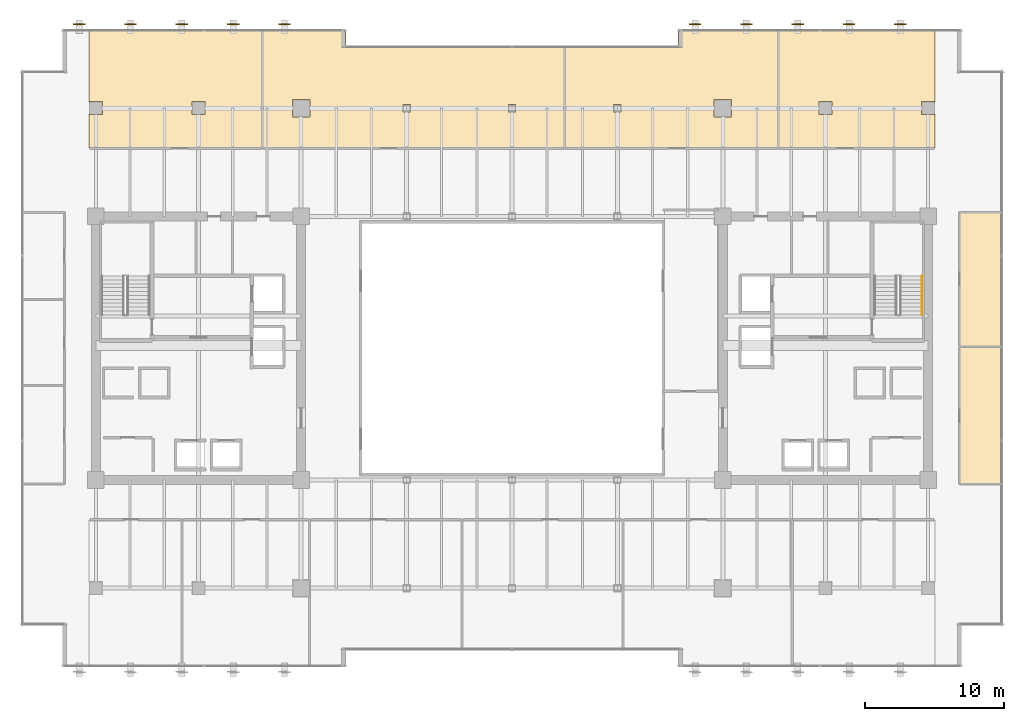
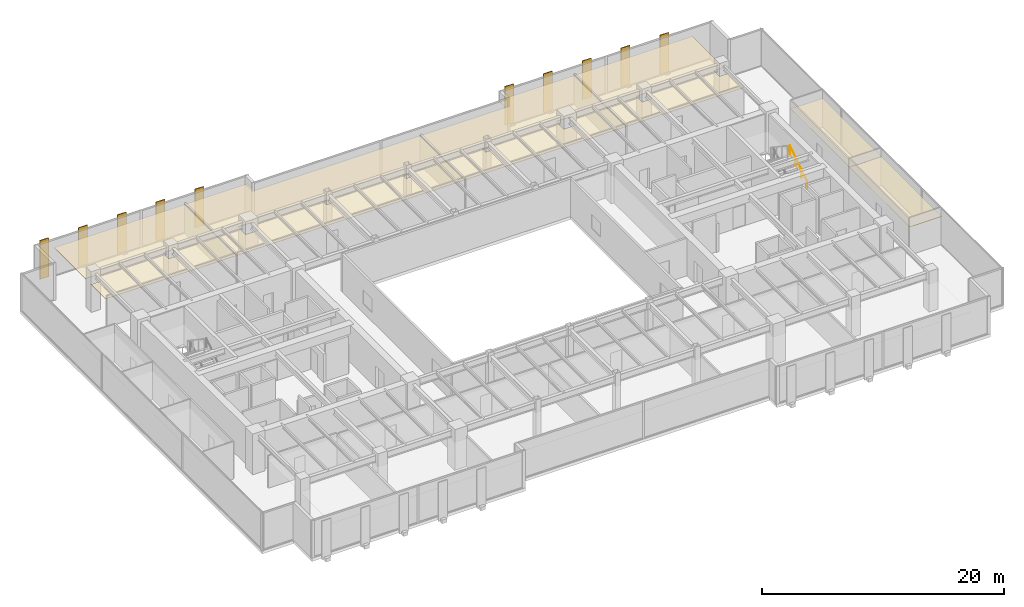
# One storey, part 34 of 34: 10 shading devices, 6 coverings, 1 railing.
"""IFC4 building model written with IfcOpenShell, lengths in metres."""

from ifc_helpers import new_model, si_unit, direction, frame, origin, origin_2d, place, context, subcontext, project, spatial, polyline, rectangle, circle, outline, extrude, source, transform, mapped, material, layer, layer_set, material_profile, profile_set, type_object, type_shapes, element, save


model = new_model("IFC4")

# Units and contexts
model_context = context("Model", 3, precision=1e-05, world=origin(), true_north=direction((0.0, 1.0)))
body_context = subcontext(model_context, "Body", "Model", "MODEL_VIEW")
ifc_project = project(units=[si_unit("LENGTHUNIT", "METRE"), si_unit("AREAUNIT", "SQUARE_METRE"), si_unit("VOLUMEUNIT", "CUBIC_METRE"), si_unit("PLANEANGLEUNIT", "RADIAN"), si_unit("MASSUNIT", "GRAM", prefix="KILO")], contexts=[model_context])

# Site, building, storey
site_placement = place(None, origin())
site = spatial("IfcSite", under=ifc_project, at=site_placement, CompositionType="ELEMENT")
building_placement = place(site_placement, origin())
building = spatial("IfcBuilding", under=site, at=building_placement, Name="Haelvirn Gate Laboratories", CompositionType="ELEMENT")
storey_placement = place(building_placement, frame((0.0, 0.0, 158.39990234375)))
storey = spatial("IfcBuildingStorey", under=building, at=storey_placement, Name="L38", CompositionType="ELEMENT", Elevation=158.39990234375)

# Coverings
ifc_material_1 = material(Name="Micro-perforated acoustic mineral-fibre laboratory ceiling")
ifc_layer = layer(ifc_material_1, 0.0400390625, Name="COV-CEIL-ACT")
ifc_layer_set = layer_set([ifc_layer], Name="Micro-perforated acoustic mineral-fibre laboratory ceiling")
covering_type = type_object("IfcCoveringType", Name="COV-CEIL-ACT", PredefinedType="CEILING", material=ifc_layer_set)
covering_1_placement = place(storey_placement, frame((0.0, 0.0, 2.820068359375)))
element("IfcCovering", 1, at=covering_1_placement, inside=storey, type_object=covering_type, Name="L38 Laboratory Acoustic Ceiling CEIL-SP-L38-N-01", PredefinedType="CEILING", context=body_context, shape_type="SweptSolid", body=[
    extrude(outline(polyline([(6.919921875, 41.18994140625), (6.929931640625, 41.18994140625), (6.929931640625, 41.1298828125), (7.8701171875, 41.1298828125), (7.8701171875, 42.070068359375), (6.929931640625, 42.070068359375), (6.929931640625, 42.010009765625), (6.919921875, 42.010009765625), (6.919921875, 47.25), (19.3798828125, 47.25), (19.3798828125, 38.715087890625), (6.919921875, 38.715087890625), (6.919921875, 41.18994140625)]), holes=[polyline([(14.330078125, 42.070068359375), (14.330078125, 41.1298828125), (15.27001953125, 41.1298828125), (15.27001953125, 42.070068359375), (14.330078125, 42.070068359375)])]), origin(), (0.0, 0.0, 1.0), 0.0400390625),
])
covering_2_placement = place(storey_placement, frame((0.0, 0.0, 2.820068359375)))
element("IfcCovering", 2, at=covering_2_placement, inside=storey, type_object=covering_type, Name="L38 Laboratory Acoustic Ceiling CEIL-SP-L38-N-02", PredefinedType="CEILING", context=body_context, shape_type="SweptSolid", body=[
    extrude(outline(polyline([(19.419921875, 38.715087890625), (19.419921875, 47.25), (25.419921875, 47.25), (25.419921875, 46.1201171875), (41.179931640625, 46.1201171875), (41.179931640625, 38.715087890625), (19.419921875, 38.715087890625)]), holes=[polyline([(21.580078125, 40.97998046875), (22.820068359375, 40.97998046875), (22.820068359375, 42.219970703125), (21.580078125, 42.219970703125), (21.580078125, 40.97998046875)]), polyline([(29.530029296875, 41.8701171875), (29.530029296875, 41.330078125), (30.070068359375, 41.330078125), (30.070068359375, 41.8701171875), (29.530029296875, 41.8701171875)]), polyline([(37.669921875, 41.8701171875), (37.1298828125, 41.8701171875), (37.1298828125, 41.330078125), (37.669921875, 41.330078125), (37.669921875, 41.8701171875)])]), origin(), (0.0, 0.0, 1.0), 0.0400390625),
])
covering_3_placement = place(storey_placement, frame((0.0, 0.0, 2.820068359375)))
element("IfcCovering", 3, at=covering_3_placement, inside=storey, type_object=covering_type, Name="L38 Laboratory Acoustic Ceiling CEIL-SP-L38-N-03", PredefinedType="CEILING", context=body_context, shape_type="SweptSolid", body=[
    extrude(outline(polyline([(49.3798828125, 47.25), (56.580078125, 47.25), (56.580078125, 38.715087890625), (41.219970703125, 38.715087890625), (41.219970703125, 46.1201171875), (49.3798828125, 46.1201171875), (49.3798828125, 47.25)]), holes=[polyline([(51.97998046875, 42.219970703125), (51.97998046875, 40.97998046875), (53.219970703125, 40.97998046875), (53.219970703125, 42.219970703125), (51.97998046875, 42.219970703125)]), polyline([(45.27001953125, 41.8701171875), (44.72998046875, 41.8701171875), (44.72998046875, 41.330078125), (45.27001953125, 41.330078125), (45.27001953125, 41.8701171875)])]), origin(), (0.0, 0.0, 1.0), 0.0400390625),
])
covering_4_placement = place(storey_placement, frame((0.0, 0.0, 2.820068359375)))
element("IfcCovering", 4, at=covering_4_placement, inside=storey, type_object=covering_type, Name="L38 Laboratory Acoustic Ceiling CEIL-SP-L38-N-04", PredefinedType="CEILING", context=body_context, shape_type="SweptSolid", body=[
    extrude(outline(polyline([(67.8798828125, 41.18994140625), (67.8798828125, 38.715087890625), (56.6201171875, 38.715087890625), (56.6201171875, 47.25), (67.8798828125, 47.25), (67.8798828125, 42.010009765625), (67.8701171875, 42.010009765625), (67.8701171875, 42.070068359375), (66.929931640625, 42.070068359375), (66.929931640625, 41.1298828125), (67.8701171875, 41.1298828125), (67.8701171875, 41.18994140625), (67.8798828125, 41.18994140625)]), holes=[polyline([(59.530029296875, 42.070068359375), (59.530029296875, 41.1298828125), (60.469970703125, 41.1298828125), (60.469970703125, 42.070068359375), (59.530029296875, 42.070068359375)])]), origin(), (0.0, 0.0, 1.0), 0.0400390625),
])
covering_5_placement = place(storey_placement, frame((0.0, 0.0, 2.820068359375)))
element("IfcCovering", 5, at=covering_5_placement, inside=storey, type_object=covering_type, Name="L38 Laboratory Acoustic Ceiling CEIL-SP-L38-ECELL-01", PredefinedType="CEILING", context=body_context, shape_type="SweptSolid", body=[
    extrude(outline(polyline([(69.679931640625, 24.39990234375), (72.75, 24.39990234375), (72.75, 14.455078125), (69.679931640625, 14.455078125), (69.679931640625, 24.39990234375)])), origin(), (0.0, 0.0, 1.0), 0.0400390625),
])
covering_6_placement = place(storey_placement, frame((0.0, 0.0, 2.820068359375)))
element("IfcCovering", 6, at=covering_6_placement, inside=storey, type_object=covering_type, Name="L38 Laboratory Acoustic Ceiling CEIL-SP-L38-ECELL-02", PredefinedType="CEILING", context=body_context, shape_type="SweptSolid", body=[
    extrude(outline(polyline([(69.679931640625, 34.14501953125), (72.75, 34.14501953125), (72.75, 24.39990234375), (69.679931640625, 24.39990234375), (69.679931640625, 34.14501953125)])), origin(), (0.0, 0.0, 1.0), 0.0400390625),
])

# Shading devices
ifc_material_2 = material(Name="Extruded aluminium 6063-T6 (anodised bronze)", Category="aluminium")
ifc_material_profile = material_profile(ifc_material_2, rectangle(XDim=0.074951171875, YDim=0.85009765625, at=origin_2d()), Name="FIN-850x75")
ifc_profile_set = profile_set([ifc_material_profile], Name="Extruded aluminium 6063-T6 (anodised bronze)")
shading_device_type = type_object("IfcShadingDeviceType", Name="SHD-FIN-850", PredefinedType="USERDEFINED", material=ifc_profile_set)
shared_shape_1 = source(origin(), body_context, "Body", "SweptSolid", [
    extrude(rectangle(XDim=0.074951171875, YDim=0.85009765625, at=origin_2d()), origin(), (0.0, 0.0, 1.0), 3.909912109375),
])
type_shapes(shading_device_type, [shared_shape_1])
for number, where, z_axis, x_axis, name in (
    (7, (6.199951171875, 47.64501953125, -0.179931640625), (0.0, 0.0, 1.0), (0.006981260298, 0.999975630705, 0.0), "L38 Fluted Bronze Vertical Fin N01"),
    (8, (9.89990234375, 47.64501953125, -0.179931640625), (0.0, 0.0, 1.0), (0.006981260298, 0.999975630705, 0.0), "L38 Fluted Bronze Vertical Fin N02"),
    (9, (13.60009765625, 47.64501953125, -0.179931640625), (0.0, 0.0, 1.0), (0.006981260298, 0.999975630705, 0.0), "L38 Fluted Bronze Vertical Fin N03"),
    (10, (17.300048828125, 47.64501953125, -0.179931640625), (0.0, 0.0, 1.0), (0.006981260298, 0.999975630705, 0.0), "L38 Fluted Bronze Vertical Fin N04"),
    (11, (21.0, 47.64501953125, -0.179931640625), (0.0, 0.0, 1.0), (0.006981260298, 0.999975630705, 0.0), "L38 Fluted Bronze Vertical Fin N05"),
    (12, (50.60009765625, 47.64501953125, -0.179931640625), (0.0, 0.0, 1.0), (0.006981260298, 0.999975630705, 0.0), "L38 Fluted Bronze Vertical Fin N06"),
    (13, (54.300048828125, 47.64501953125, -0.179931640625), (0.0, 0.0, 1.0), (0.006981260298, 0.999975630705, 0.0), "L38 Fluted Bronze Vertical Fin N07"),
    (14, (58.0, 47.64501953125, -0.179931640625), (0.0, 0.0, 1.0), (0.006981260298, 0.999975630705, 0.0), "L38 Fluted Bronze Vertical Fin N08"),
    (15, (61.699951171875, 47.64501953125, -0.179931640625), (0.0, 0.0, 1.0), (0.006981260298, 0.999975630705, 0.0), "L38 Fluted Bronze Vertical Fin N09"),
    (16, (65.39990234375, 47.64501953125, -0.179931640625), (0.0, 0.0, 1.0), (0.006981260298, 0.999975630705, 0.0), "L38 Fluted Bronze Vertical Fin N10"),
):
    element("IfcShadingDevice", number, at=place(storey_placement, frame(where, z_axis=z_axis, x_axis=x_axis)), inside=storey, type_object=shading_device_type, Name=name, ObjectType="FIN", PredefinedType="USERDEFINED", context=body_context, shape_type="MappedRepresentation", body=[
        mapped(shared_shape_1, transform((0.0, 0.0, 0.0), scale=1.0)),
    ])

# Railing
ifc_material_3 = material(Name="Brushed stainless steel 316L", Category="steel")
railing_type = type_object("IfcRailingType", Name="RL-HAND-920", PredefinedType="HANDRAIL", material=ifc_material_3)
shared_shape_2 = source(origin(), body_context, "Body", "SweptSolid", [
    extrude(circle(Radius=0.02392578125, at=origin_2d()), frame((0.0, 0.0, 0.8759765625), z_axis=(0.0, 0.832485552168, 0.554046753832), x_axis=(-1.0, 0.0, 0.0)), (0.0, 0.0, 1.0), 3.363525390625),
    extrude(circle(Radius=0.02099609375, at=origin_2d()), origin(), (0.0, 0.0, 1.0), 0.851806640625),
    extrude(circle(Radius=0.02099609375, at=origin_2d()), frame((0.0, 0.933349609375, 0.62109375)), (0.0, 0.0, 1.0), 0.851806640625),
    extrude(circle(Radius=0.02099609375, at=origin_2d()), frame((0.0, 1.86669921875, 1.242431640625)), (0.0, 0.0, 1.0), 0.851806640625),
    extrude(circle(Radius=0.02099609375, at=origin_2d()), frame((0.0, 2.800048828125, 1.863525390625)), (0.0, 0.0, 1.0), 0.851806640625),
])
type_shapes(railing_type, [shared_shape_2])
railing_placement = place(storey_placement, frame((66.949951171875, 26.699951171875, 0.1865234375)))
element("IfcRailing", 17, at=railing_placement, inside=storey, type_object=railing_type, Name="L38 ST2 stair handrail 1", PredefinedType="HANDRAIL", context=body_context, shape_type="MappedRepresentation", body=[
    mapped(shared_shape_2, transform((0.0, 0.0, 0.0), scale=1.0)),
])

save(model, "model.ifc")
